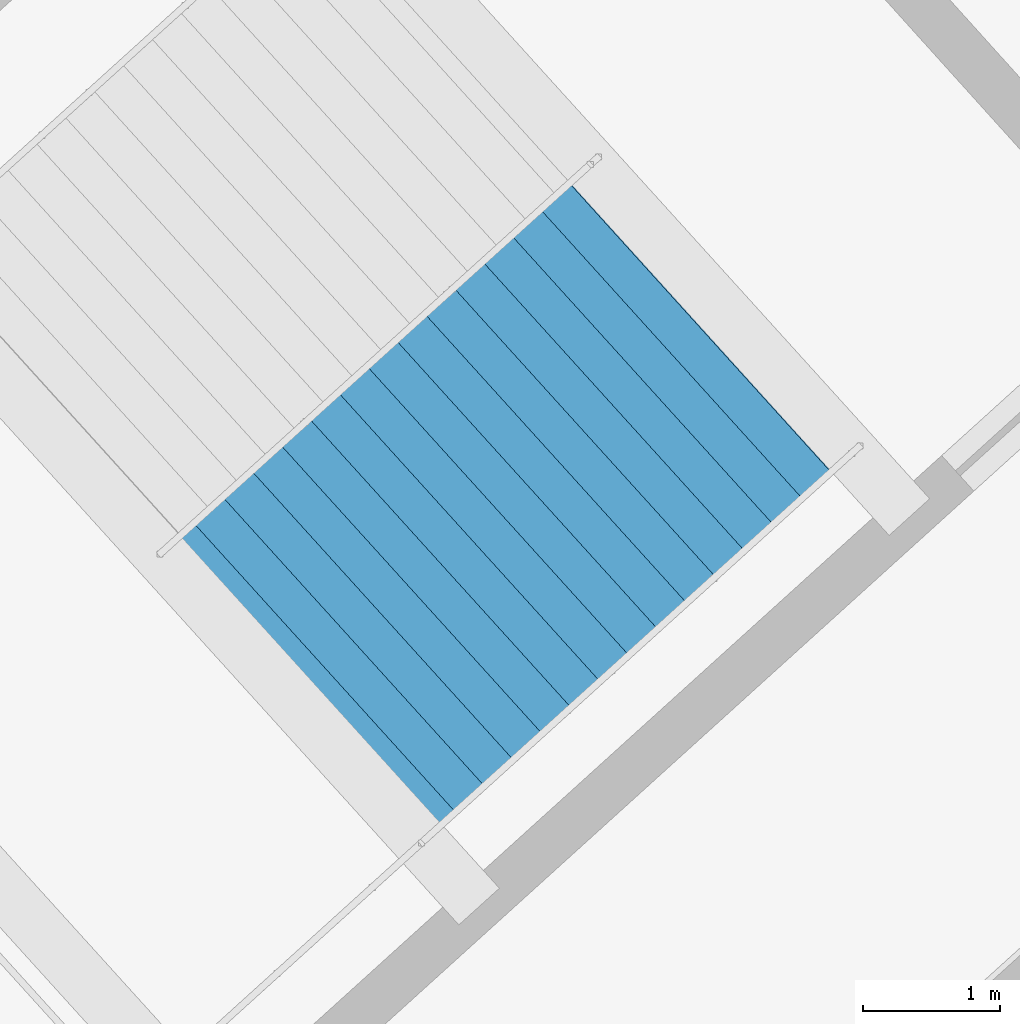
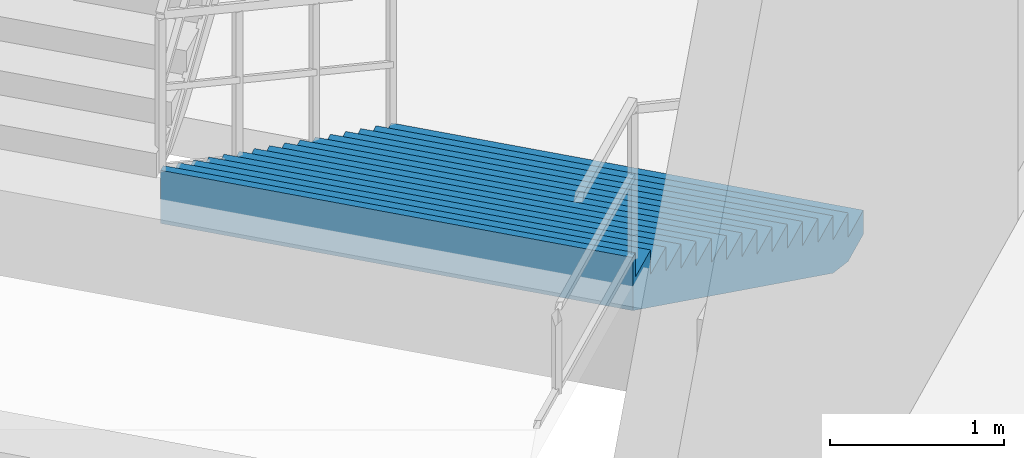
# One storey, part 157 of 162: 1 stair flight, 1 element without a shape of its own.
"""IFC4 building model written with IfcOpenShell, lengths in metres."""

from ifc_helpers import new_model, si_unit, direction, frame, origin, place, context, subcontext, project, spatial, polygons, material, type_object, element, aggregate, save


model = new_model("IFC4")

# Units and contexts
model_context = context("Model", 3, precision=1e-05, world=origin(), true_north=direction((0.0, 1.0)))
body_context = subcontext(model_context, "Body", "Model", "MODEL_VIEW")
ifc_project = project(units=[si_unit("LENGTHUNIT", "METRE"), si_unit("AREAUNIT", "SQUARE_METRE"), si_unit("VOLUMEUNIT", "CUBIC_METRE"), si_unit("PLANEANGLEUNIT", "RADIAN"), si_unit("MASSUNIT", "GRAM", prefix="KILO")], contexts=[model_context])

# Site, building, storey
site_placement = place(None, origin())
site = spatial("IfcSite", under=ifc_project, at=site_placement, CompositionType="ELEMENT")
building_placement = place(site_placement, origin())
building = spatial("IfcBuilding", under=site, at=building_placement, Name="Kazemori Nagisa Stadium", CompositionType="ELEMENT")
storey_placement = place(building_placement, frame((0.0, 0.0, 36.719970703125)))
storey = spatial("IfcBuildingStorey", under=building, at=storey_placement, Name="RF", CompositionType="ELEMENT", Elevation=36.719970703125)

# Stair, stair flight
ifc_material = material(Name="Concrete C36/45 (Fc36)", Category="concrete")
stair_type = type_object("IfcStairType", Name="Stair_CORE_32", PredefinedType="TWO_STRAIGHT_RUN_STAIR", material=ifc_material)
stair_placement = place(storey_placement, origin())
stair = element("IfcStair", 1, at=stair_placement, inside=storey, type_object=stair_type, Name="Exit stair ST02 RF", PredefinedType="TWO_STRAIGHT_RUN_STAIR")
stair_flight_type = type_object("IfcStairFlightType", Name="Flight_CORE_16", PredefinedType="STRAIGHT", material=ifc_material)
stair_flight_placement = place(storey_placement, frame((63.22412109375, 164.589599609375, 0.0), z_axis=(0.0, 0.0, 1.0), x_axis=(-0.741328742395, -0.671142083093, 0.0)))
stair_flight = element("IfcStairFlight", 2, at=stair_flight_placement, type_object=stair_flight_type, Name="Exit stair ST02 RF flight 1", NumberOfRisers=16, NumberOfTreads=15, PredefinedType="STRAIGHT", RiserHeight=0.17, TreadLength=0.285, context=body_context, shape_type="Tessellation", body=[
    polygons([(0.0, -1.425048828125, 0.0), (0.0, -1.425048828125, 0.169921875), (0.284912109375, -1.425048828125, 0.169921875), (0.284912109375, -1.425048828125, 0.340087890625), (0.570068359375, -1.425048828125, 0.340087890625), (0.570068359375, -1.425048828125, 0.510009765625), (0.85498046875, -1.425048828125, 0.510009765625), (0.85498046875, -1.425048828125, 0.679931640625), (1.139892578125, -1.425048828125, 0.679931640625), (1.139892578125, -1.425048828125, 0.85009765625), (1.425048828125, -1.425048828125, 0.85009765625), (1.425048828125, -1.425048828125, 1.02001953125), (1.7099609375, -1.425048828125, 1.02001953125), (1.7099609375, -1.425048828125, 1.18994140625), (1.9951171875, -1.425048828125, 1.18994140625), (1.9951171875, -1.425048828125, 1.360107421875), (2.280029296875, -1.425048828125, 1.360107421875), (2.280029296875, -1.425048828125, 1.530029296875), (2.56494140625, -1.425048828125, 1.530029296875), (2.56494140625, -1.425048828125, 1.699951171875), (2.85009765625, -1.425048828125, 1.699951171875), (2.85009765625, -1.425048828125, 1.8701171875), (3.135009765625, -1.425048828125, 1.8701171875), (3.135009765625, -1.425048828125, 2.0400390625), (3.419921875, -1.425048828125, 2.0400390625), (3.419921875, -1.425048828125, 2.2099609375), (3.705078125, -1.425048828125, 2.2099609375), (3.705078125, -1.425048828125, 2.3798828125), (3.989990234375, -1.425048828125, 2.3798828125), (3.989990234375, -1.425048828125, 2.550048828125), (4.27490234375, -1.425048828125, 2.550048828125), (4.27490234375, -1.425048828125, 2.719970703125), (4.324951171875, -1.425048828125, 2.719970703125), (4.324951171875, -1.425048828125, 2.346923828125), (4.27490234375, -1.425048828125, 2.317138671875), (3.989990234375, -1.425048828125, 2.147216796875), (3.705078125, -1.425048828125, 1.977294921875), (3.419921875, -1.425048828125, 1.80712890625), (3.135009765625, -1.425048828125, 1.63720703125), (2.85009765625, -1.425048828125, 1.46728515625), (2.56494140625, -1.425048828125, 1.297119140625), (2.280029296875, -1.425048828125, 1.127197265625), (1.9951171875, -1.425048828125, 0.957275390625), (1.7099609375, -1.425048828125, 0.787109375), (1.425048828125, -1.425048828125, 0.6171875), (1.139892578125, -1.425048828125, 0.447265625), (0.85498046875, -1.425048828125, 0.277099609375), (0.570068359375, -1.425048828125, 0.107177734375), (0.284912109375, -1.425048828125, 0.0), (0.0, -0.08544921875, 0.0), (0.0, -0.08544921875, 0.169921875), (0.284912109375, -0.08544921875, 0.169921875), (0.284912109375, -0.08544921875, 0.340087890625), (0.570068359375, -0.08544921875, 0.340087890625), (0.570068359375, -0.08544921875, 0.510009765625), (0.85498046875, -0.08544921875, 0.510009765625), (0.85498046875, -0.08544921875, 0.679931640625), (1.139892578125, -0.08544921875, 0.679931640625), (1.139892578125, -0.08544921875, 0.85009765625), (1.425048828125, -0.08544921875, 0.85009765625), (1.425048828125, -0.08544921875, 1.02001953125), (1.7099609375, -0.08544921875, 1.02001953125), (1.7099609375, -0.08544921875, 1.18994140625), (1.9951171875, -0.08544921875, 1.18994140625), (1.9951171875, -0.08544921875, 1.360107421875), (2.280029296875, -0.08544921875, 1.360107421875), (2.280029296875, -0.08544921875, 1.530029296875), (2.56494140625, -0.08544921875, 1.530029296875), (2.56494140625, -0.08544921875, 1.699951171875), (2.85009765625, -0.08544921875, 1.699951171875), (2.85009765625, -0.08544921875, 1.8701171875), (3.135009765625, -0.08544921875, 1.8701171875), (3.135009765625, -0.08544921875, 2.0400390625), (3.419921875, -0.08544921875, 2.0400390625), (3.419921875, -0.08544921875, 2.2099609375), (3.705078125, -0.08544921875, 2.2099609375), (3.705078125, -0.08544921875, 2.3798828125), (3.989990234375, -0.08544921875, 2.3798828125), (3.989990234375, -0.08544921875, 2.550048828125), (4.27490234375, -0.08544921875, 2.550048828125), (4.27490234375, -0.08544921875, 2.719970703125), (4.324951171875, -0.08544921875, 2.719970703125), (4.324951171875, -0.08544921875, 2.346923828125), (4.27490234375, -0.08544921875, 2.317138671875), (3.989990234375, -0.08544921875, 2.147216796875), (3.705078125, -0.08544921875, 1.977294921875), (3.419921875, -0.08544921875, 1.80712890625), (3.135009765625, -0.08544921875, 1.63720703125), (2.85009765625, -0.08544921875, 1.46728515625), (2.56494140625, -0.08544921875, 1.297119140625), (2.280029296875, -0.08544921875, 1.127197265625), (1.9951171875, -0.08544921875, 0.957275390625), (1.7099609375, -0.08544921875, 0.787109375), (1.425048828125, -0.08544921875, 0.6171875), (1.139892578125, -0.08544921875, 0.447265625), (0.85498046875, -0.08544921875, 0.277099609375), (0.570068359375, -0.08544921875, 0.107177734375), (0.284912109375, -0.08544921875, 0.0), (0.0, 0.0, 0.0), (0.0, 0.0, 0.169921875), (0.284912109375, 0.0, 0.169921875), (0.284912109375, 0.0, 0.340087890625), (0.570068359375, 0.0, 0.340087890625), (0.570068359375, 0.0, 0.510009765625), (0.85498046875, 0.0, 0.510009765625), (0.85498046875, 0.0, 0.679931640625), (1.139892578125, 0.0, 0.679931640625), (1.139892578125, 0.0, 0.85009765625), (1.425048828125, 0.0, 0.85009765625), (1.425048828125, 0.0, 1.02001953125), (1.7099609375, 0.0, 1.02001953125), (1.7099609375, 0.0, 1.18994140625), (1.9951171875, 0.0, 1.18994140625), (1.9951171875, 0.0, 1.360107421875), (2.280029296875, 0.0, 1.360107421875), (2.280029296875, 0.0, 1.530029296875), (2.56494140625, 0.0, 1.530029296875), (2.56494140625, 0.0, 1.699951171875), (2.85009765625, 0.0, 1.699951171875), (2.85009765625, 0.0, 1.8701171875), (3.135009765625, 0.0, 1.8701171875), (3.135009765625, 0.0, 2.0400390625), (3.419921875, 0.0, 2.0400390625), (3.419921875, 0.0, 2.2099609375), (3.705078125, 0.0, 2.2099609375), (3.705078125, 0.0, 2.3798828125), (3.989990234375, 0.0, 2.3798828125), (3.989990234375, 0.0, 2.550048828125), (4.27490234375, 0.0, 2.550048828125), (4.27490234375, 0.0, 2.719970703125), (4.324951171875, 0.0, 2.719970703125), (4.324951171875, 0.0, 2.346923828125), (4.27490234375, 0.0, 2.317138671875), (3.989990234375, 0.0, 2.147216796875), (3.705078125, 0.0, 1.977294921875), (3.419921875, 0.0, 1.80712890625), (3.135009765625, 0.0, 1.63720703125), (2.85009765625, 0.0, 1.46728515625), (2.56494140625, 0.0, 1.297119140625), (2.280029296875, 0.0, 1.127197265625), (1.9951171875, 0.0, 0.957275390625), (1.7099609375, 0.0, 0.787109375), (1.425048828125, 0.0, 0.6171875), (1.139892578125, 0.0, 0.447265625), (0.85498046875, 0.0, 0.277099609375), (0.570068359375, 0.0, 0.107177734375), (0.284912109375, 0.0, 0.0), (0.0, 0.08544921875, 0.0), (0.0, 0.08544921875, 0.169921875), (0.284912109375, 0.08544921875, 0.169921875), (0.284912109375, 0.08544921875, 0.340087890625), (0.570068359375, 0.08544921875, 0.340087890625), (0.570068359375, 0.08544921875, 0.510009765625), (0.85498046875, 0.08544921875, 0.510009765625), (0.85498046875, 0.08544921875, 0.679931640625), (1.139892578125, 0.08544921875, 0.679931640625), (1.139892578125, 0.08544921875, 0.85009765625), (1.425048828125, 0.08544921875, 0.85009765625), (1.425048828125, 0.08544921875, 1.02001953125), (1.7099609375, 0.08544921875, 1.02001953125), (1.7099609375, 0.08544921875, 1.18994140625), (1.9951171875, 0.08544921875, 1.18994140625), (1.9951171875, 0.08544921875, 1.360107421875), (2.280029296875, 0.08544921875, 1.360107421875), (2.280029296875, 0.08544921875, 1.530029296875), (2.56494140625, 0.08544921875, 1.530029296875), (2.56494140625, 0.08544921875, 1.699951171875), (2.85009765625, 0.08544921875, 1.699951171875), (2.85009765625, 0.08544921875, 1.8701171875), (3.135009765625, 0.08544921875, 1.8701171875), (3.135009765625, 0.08544921875, 2.0400390625), (3.419921875, 0.08544921875, 2.0400390625), (3.419921875, 0.08544921875, 2.2099609375), (3.705078125, 0.08544921875, 2.2099609375), (3.705078125, 0.08544921875, 2.3798828125), (3.989990234375, 0.08544921875, 2.3798828125), (3.989990234375, 0.08544921875, 2.550048828125), (4.27490234375, 0.08544921875, 2.550048828125), (4.27490234375, 0.08544921875, 2.719970703125), (4.324951171875, 0.08544921875, 2.719970703125), (4.324951171875, 0.08544921875, 2.346923828125), (4.27490234375, 0.08544921875, 2.317138671875), (3.989990234375, 0.08544921875, 2.147216796875), (3.705078125, 0.08544921875, 1.977294921875), (3.419921875, 0.08544921875, 1.80712890625), (3.135009765625, 0.08544921875, 1.63720703125), (2.85009765625, 0.08544921875, 1.46728515625), (2.56494140625, 0.08544921875, 1.297119140625), (2.280029296875, 0.08544921875, 1.127197265625), (1.9951171875, 0.08544921875, 0.957275390625), (1.7099609375, 0.08544921875, 0.787109375), (1.425048828125, 0.08544921875, 0.6171875), (1.139892578125, 0.08544921875, 0.447265625), (0.85498046875, 0.08544921875, 0.277099609375), (0.570068359375, 0.08544921875, 0.107177734375), (0.284912109375, 0.08544921875, 0.0), (0.0, 1.425048828125, 0.0), (0.0, 1.425048828125, 0.169921875), (0.284912109375, 1.425048828125, 0.169921875), (0.284912109375, 1.425048828125, 0.340087890625), (0.570068359375, 1.425048828125, 0.340087890625), (0.570068359375, 1.425048828125, 0.510009765625), (0.85498046875, 1.425048828125, 0.510009765625), (0.85498046875, 1.425048828125, 0.679931640625), (1.139892578125, 1.425048828125, 0.679931640625), (1.139892578125, 1.425048828125, 0.85009765625), (1.425048828125, 1.425048828125, 0.85009765625), (1.425048828125, 1.425048828125, 1.02001953125), (1.7099609375, 1.425048828125, 1.02001953125), (1.7099609375, 1.425048828125, 1.18994140625), (1.9951171875, 1.425048828125, 1.18994140625), (1.9951171875, 1.425048828125, 1.360107421875), (2.280029296875, 1.425048828125, 1.360107421875), (2.280029296875, 1.425048828125, 1.530029296875), (2.56494140625, 1.425048828125, 1.530029296875), (2.56494140625, 1.425048828125, 1.699951171875), (2.85009765625, 1.425048828125, 1.699951171875), (2.85009765625, 1.425048828125, 1.8701171875), (3.135009765625, 1.425048828125, 1.8701171875), (3.135009765625, 1.425048828125, 2.0400390625), (3.419921875, 1.425048828125, 2.0400390625), (3.419921875, 1.425048828125, 2.2099609375), (3.705078125, 1.425048828125, 2.2099609375), (3.705078125, 1.425048828125, 2.3798828125), (3.989990234375, 1.425048828125, 2.3798828125), (3.989990234375, 1.425048828125, 2.550048828125), (4.27490234375, 1.425048828125, 2.550048828125), (4.27490234375, 1.425048828125, 2.719970703125), (4.324951171875, 1.425048828125, 2.719970703125), (4.324951171875, 1.425048828125, 2.346923828125), (4.27490234375, 1.425048828125, 2.317138671875), (3.989990234375, 1.425048828125, 2.147216796875), (3.705078125, 1.425048828125, 1.977294921875), (3.419921875, 1.425048828125, 1.80712890625), (3.135009765625, 1.425048828125, 1.63720703125), (2.85009765625, 1.425048828125, 1.46728515625), (2.56494140625, 1.425048828125, 1.297119140625), (2.280029296875, 1.425048828125, 1.127197265625), (1.9951171875, 1.425048828125, 0.957275390625), (1.7099609375, 1.425048828125, 0.787109375), (1.425048828125, 1.425048828125, 0.6171875), (1.139892578125, 1.425048828125, 0.447265625), (0.85498046875, 1.425048828125, 0.277099609375), (0.570068359375, 1.425048828125, 0.107177734375), (0.284912109375, 1.425048828125, 0.0)], [[[1, 2, 51]], [[1, 51, 50]], [[2, 3, 52]], [[2, 52, 51]], [[3, 4, 53]], [[3, 53, 52]], [[4, 5, 54]], [[4, 54, 53]], [[5, 6, 55]], [[5, 55, 54]], [[6, 7, 56]], [[6, 56, 55]], [[7, 8, 57]], [[7, 57, 56]], [[8, 9, 58]], [[8, 58, 57]], [[9, 10, 59]], [[9, 59, 58]], [[10, 11, 60]], [[10, 60, 59]], [[11, 12, 61]], [[11, 61, 60]], [[12, 13, 62]], [[12, 62, 61]], [[13, 14, 63]], [[13, 63, 62]], [[14, 15, 64]], [[14, 64, 63]], [[15, 16, 65]], [[15, 65, 64]], [[16, 17, 66]], [[16, 66, 65]], [[17, 18, 67]], [[17, 67, 66]], [[18, 19, 68]], [[18, 68, 67]], [[19, 20, 69]], [[19, 69, 68]], [[20, 21, 70]], [[20, 70, 69]], [[21, 22, 71]], [[21, 71, 70]], [[22, 23, 72]], [[22, 72, 71]], [[23, 24, 73]], [[23, 73, 72]], [[24, 25, 74]], [[24, 74, 73]], [[25, 26, 75]], [[25, 75, 74]], [[26, 27, 76]], [[26, 76, 75]], [[27, 28, 77]], [[27, 77, 76]], [[28, 29, 78]], [[28, 78, 77]], [[29, 30, 79]], [[29, 79, 78]], [[30, 31, 80]], [[30, 80, 79]], [[31, 32, 81]], [[31, 81, 80]], [[32, 33, 82]], [[32, 82, 81]], [[33, 34, 83]], [[33, 83, 82]], [[34, 35, 84]], [[34, 84, 83]], [[35, 36, 85]], [[35, 85, 84]], [[36, 37, 86]], [[36, 86, 85]], [[37, 38, 87]], [[37, 87, 86]], [[38, 39, 88]], [[38, 88, 87]], [[39, 40, 89]], [[39, 89, 88]], [[40, 41, 90]], [[40, 90, 89]], [[41, 42, 91]], [[41, 91, 90]], [[42, 43, 92]], [[42, 92, 91]], [[43, 44, 93]], [[43, 93, 92]], [[44, 45, 94]], [[44, 94, 93]], [[45, 46, 95]], [[45, 95, 94]], [[46, 47, 96]], [[46, 96, 95]], [[47, 48, 97]], [[47, 97, 96]], [[48, 49, 98]], [[48, 98, 97]], [[49, 1, 50]], [[49, 50, 98]], [[50, 51, 100]], [[50, 100, 99]], [[51, 52, 101]], [[51, 101, 100]], [[52, 53, 102]], [[52, 102, 101]], [[53, 54, 103]], [[53, 103, 102]], [[54, 55, 104]], [[54, 104, 103]], [[55, 56, 105]], [[55, 105, 104]], [[56, 57, 106]], [[56, 106, 105]], [[57, 58, 107]], [[57, 107, 106]], [[58, 59, 108]], [[58, 108, 107]], [[59, 60, 109]], [[59, 109, 108]], [[60, 61, 110]], [[60, 110, 109]], [[61, 62, 111]], [[61, 111, 110]], [[62, 63, 112]], [[62, 112, 111]], [[63, 64, 113]], [[63, 113, 112]], [[64, 65, 114]], [[64, 114, 113]], [[65, 66, 115]], [[65, 115, 114]], [[66, 67, 116]], [[66, 116, 115]], [[67, 68, 117]], [[67, 117, 116]], [[68, 69, 118]], [[68, 118, 117]], [[69, 70, 119]], [[69, 119, 118]], [[70, 71, 120]], [[70, 120, 119]], [[71, 72, 121]], [[71, 121, 120]], [[72, 73, 122]], [[72, 122, 121]], [[73, 74, 123]], [[73, 123, 122]], [[74, 75, 124]], [[74, 124, 123]], [[75, 76, 125]], [[75, 125, 124]], [[76, 77, 126]], [[76, 126, 125]], [[77, 78, 127]], [[77, 127, 126]], [[78, 79, 128]], [[78, 128, 127]], [[79, 80, 129]], [[79, 129, 128]], [[80, 81, 130]], [[80, 130, 129]], [[81, 82, 131]], [[81, 131, 130]], [[82, 83, 132]], [[82, 132, 131]], [[83, 84, 133]], [[83, 133, 132]], [[84, 85, 134]], [[84, 134, 133]], [[85, 86, 135]], [[85, 135, 134]], [[86, 87, 136]], [[86, 136, 135]], [[87, 88, 137]], [[87, 137, 136]], [[88, 89, 138]], [[88, 138, 137]], [[89, 90, 139]], [[89, 139, 138]], [[90, 91, 140]], [[90, 140, 139]], [[91, 92, 141]], [[91, 141, 140]], [[92, 93, 142]], [[92, 142, 141]], [[93, 94, 143]], [[93, 143, 142]], [[94, 95, 144]], [[94, 144, 143]], [[95, 96, 145]], [[95, 145, 144]], [[96, 97, 146]], [[96, 146, 145]], [[97, 98, 147]], [[97, 147, 146]], [[98, 50, 99]], [[98, 99, 147]], [[99, 100, 149]], [[99, 149, 148]], [[100, 101, 150]], [[100, 150, 149]], [[101, 102, 151]], [[101, 151, 150]], [[102, 103, 152]], [[102, 152, 151]], [[103, 104, 153]], [[103, 153, 152]], [[104, 105, 154]], [[104, 154, 153]], [[105, 106, 155]], [[105, 155, 154]], [[106, 107, 156]], [[106, 156, 155]], [[107, 108, 157]], [[107, 157, 156]], [[108, 109, 158]], [[108, 158, 157]], [[109, 110, 159]], [[109, 159, 158]], [[110, 111, 160]], [[110, 160, 159]], [[111, 112, 161]], [[111, 161, 160]], [[112, 113, 162]], [[112, 162, 161]], [[113, 114, 163]], [[113, 163, 162]], [[114, 115, 164]], [[114, 164, 163]], [[115, 116, 165]], [[115, 165, 164]], [[116, 117, 166]], [[116, 166, 165]], [[117, 118, 167]], [[117, 167, 166]], [[118, 119, 168]], [[118, 168, 167]], [[119, 120, 169]], [[119, 169, 168]], [[120, 121, 170]], [[120, 170, 169]], [[121, 122, 171]], [[121, 171, 170]], [[122, 123, 172]], [[122, 172, 171]], [[123, 124, 173]], [[123, 173, 172]], [[124, 125, 174]], [[124, 174, 173]], [[125, 126, 175]], [[125, 175, 174]], [[126, 127, 176]], [[126, 176, 175]], [[127, 128, 177]], [[127, 177, 176]], [[128, 129, 178]], [[128, 178, 177]], [[129, 130, 179]], [[129, 179, 178]], [[130, 131, 180]], [[130, 180, 179]], [[131, 132, 181]], [[131, 181, 180]], [[132, 133, 182]], [[132, 182, 181]], [[133, 134, 183]], [[133, 183, 182]], [[134, 135, 184]], [[134, 184, 183]], [[135, 136, 185]], [[135, 185, 184]], [[136, 137, 186]], [[136, 186, 185]], [[137, 138, 187]], [[137, 187, 186]], [[138, 139, 188]], [[138, 188, 187]], [[139, 140, 189]], [[139, 189, 188]], [[140, 141, 190]], [[140, 190, 189]], [[141, 142, 191]], [[141, 191, 190]], [[142, 143, 192]], [[142, 192, 191]], [[143, 144, 193]], [[143, 193, 192]], [[144, 145, 194]], [[144, 194, 193]], [[145, 146, 195]], [[145, 195, 194]], [[146, 147, 196]], [[146, 196, 195]], [[147, 99, 148]], [[147, 148, 196]], [[148, 149, 198]], [[148, 198, 197]], [[149, 150, 199]], [[149, 199, 198]], [[150, 151, 200]], [[150, 200, 199]], [[151, 152, 201]], [[151, 201, 200]], [[152, 153, 202]], [[152, 202, 201]], [[153, 154, 203]], [[153, 203, 202]], [[154, 155, 204]], [[154, 204, 203]], [[155, 156, 205]], [[155, 205, 204]], [[156, 157, 206]], [[156, 206, 205]], [[157, 158, 207]], [[157, 207, 206]], [[158, 159, 208]], [[158, 208, 207]], [[159, 160, 209]], [[159, 209, 208]], [[160, 161, 210]], [[160, 210, 209]], [[161, 162, 211]], [[161, 211, 210]], [[162, 163, 212]], [[162, 212, 211]], [[163, 164, 213]], [[163, 213, 212]], [[164, 165, 214]], [[164, 214, 213]], [[165, 166, 215]], [[165, 215, 214]], [[166, 167, 216]], [[166, 216, 215]], [[167, 168, 217]], [[167, 217, 216]], [[168, 169, 218]], [[168, 218, 217]], [[169, 170, 219]], [[169, 219, 218]], [[170, 171, 220]], [[170, 220, 219]], [[171, 172, 221]], [[171, 221, 220]], [[172, 173, 222]], [[172, 222, 221]], [[173, 174, 223]], [[173, 223, 222]], [[174, 175, 224]], [[174, 224, 223]], [[175, 176, 225]], [[175, 225, 224]], [[176, 177, 226]], [[176, 226, 225]], [[177, 178, 227]], [[177, 227, 226]], [[178, 179, 228]], [[178, 228, 227]], [[179, 180, 229]], [[179, 229, 228]], [[180, 181, 230]], [[180, 230, 229]], [[181, 182, 231]], [[181, 231, 230]], [[182, 183, 232]], [[182, 232, 231]], [[183, 184, 233]], [[183, 233, 232]], [[184, 185, 234]], [[184, 234, 233]], [[185, 186, 235]], [[185, 235, 234]], [[186, 187, 236]], [[186, 236, 235]], [[187, 188, 237]], [[187, 237, 236]], [[188, 189, 238]], [[188, 238, 237]], [[189, 190, 239]], [[189, 239, 238]], [[190, 191, 240]], [[190, 240, 239]], [[191, 192, 241]], [[191, 241, 240]], [[192, 193, 242]], [[192, 242, 241]], [[193, 194, 243]], [[193, 243, 242]], [[194, 195, 244]], [[194, 244, 243]], [[195, 196, 245]], [[195, 245, 244]], [[196, 148, 197]], [[196, 197, 245]], [[3, 2, 1]], [[197, 198, 199]], [[49, 3, 1]], [[197, 199, 245]], [[48, 3, 49]], [[245, 199, 244]], [[5, 3, 48]], [[244, 199, 201]], [[5, 4, 3]], [[199, 200, 201]], [[47, 5, 48]], [[244, 201, 243]], [[7, 5, 47]], [[243, 201, 203]], [[7, 6, 5]], [[201, 202, 203]], [[46, 7, 47]], [[243, 203, 242]], [[9, 7, 46]], [[242, 203, 205]], [[9, 8, 7]], [[203, 204, 205]], [[45, 9, 46]], [[242, 205, 241]], [[11, 9, 45]], [[241, 205, 207]], [[11, 10, 9]], [[205, 206, 207]], [[44, 11, 45]], [[241, 207, 240]], [[13, 11, 44]], [[240, 207, 209]], [[13, 12, 11]], [[207, 208, 209]], [[43, 13, 44]], [[240, 209, 239]], [[15, 13, 43]], [[239, 209, 211]], [[15, 14, 13]], [[209, 210, 211]], [[42, 15, 43]], [[239, 211, 238]], [[17, 15, 42]], [[238, 211, 213]], [[17, 16, 15]], [[211, 212, 213]], [[41, 17, 42]], [[238, 213, 237]], [[19, 17, 41]], [[237, 213, 215]], [[19, 18, 17]], [[213, 214, 215]], [[40, 19, 41]], [[237, 215, 236]], [[21, 19, 40]], [[236, 215, 217]], [[21, 20, 19]], [[215, 216, 217]], [[39, 21, 40]], [[236, 217, 235]], [[23, 21, 39]], [[235, 217, 219]], [[23, 22, 21]], [[217, 218, 219]], [[38, 23, 39]], [[235, 219, 234]], [[25, 23, 38]], [[234, 219, 221]], [[25, 24, 23]], [[219, 220, 221]], [[37, 25, 38]], [[234, 221, 233]], [[27, 25, 37]], [[233, 221, 223]], [[27, 26, 25]], [[221, 222, 223]], [[36, 27, 37]], [[233, 223, 232]], [[29, 27, 36]], [[232, 223, 225]], [[29, 28, 27]], [[223, 224, 225]], [[35, 29, 36]], [[232, 225, 231]], [[31, 29, 35]], [[231, 225, 227]], [[31, 30, 29]], [[225, 226, 227]], [[34, 31, 35]], [[231, 227, 230]], [[33, 31, 34]], [[230, 227, 229]], [[33, 32, 31]], [[227, 228, 229]]], closed=True),
])
aggregate(stair, [stair_flight])

save(model, "model.ifc")
